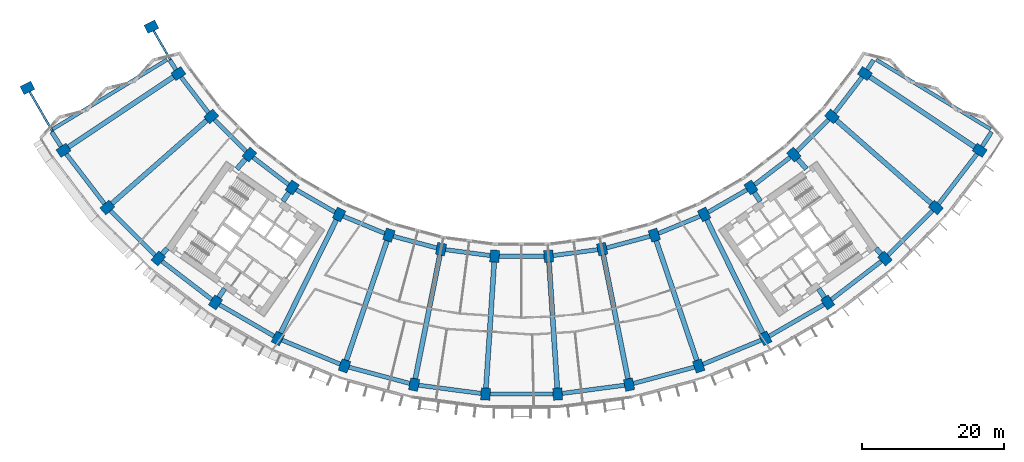
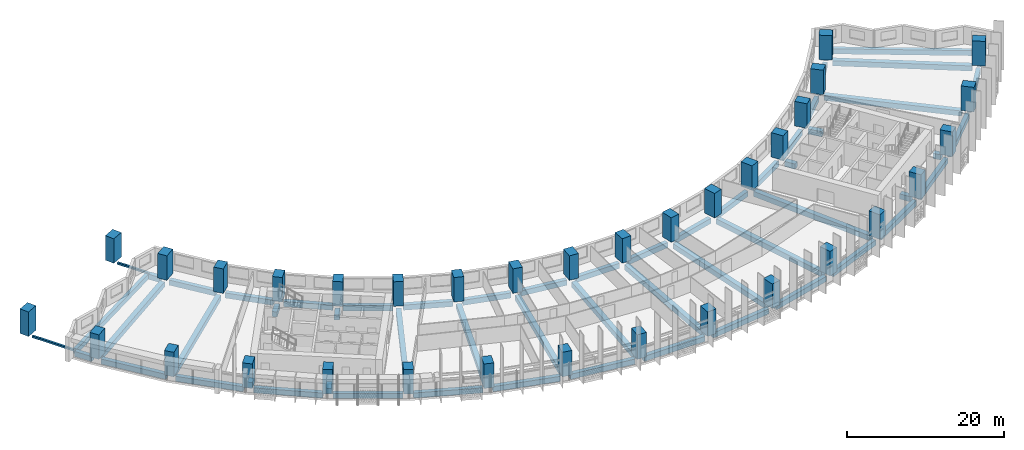
# One storey, part 1 of 33: 56 beams, 34 columns, 2 members.
"""IFC4 building model written with IfcOpenShell, lengths in metres."""

from ifc_helpers import new_model, si_unit, direction, frame, origin, origin_2d, place, context, subcontext, project, spatial, rectangle, hollow_rectangle, extrude, material, material_profile, profile_set, type_object, element, save


model = new_model("IFC4")

# Units and contexts
model_context = context("Model", 3, precision=1e-05, world=origin(), true_north=direction((0.0, 1.0)))
body_context = subcontext(model_context, "Body", "Model", "MODEL_VIEW")
ifc_project = project(units=[si_unit("LENGTHUNIT", "METRE"), si_unit("AREAUNIT", "SQUARE_METRE"), si_unit("VOLUMEUNIT", "CUBIC_METRE"), si_unit("PLANEANGLEUNIT", "RADIAN"), si_unit("MASSUNIT", "GRAM", prefix="KILO")], contexts=[model_context])

# Site, building, storey
site_placement = place(None, origin())
site = spatial("IfcSite", under=ifc_project, at=site_placement, CompositionType="ELEMENT")
building_placement = place(site_placement, origin())
building = spatial("IfcBuilding", under=site, at=building_placement, Name="Qamariyya Broadcast Tower", CompositionType="ELEMENT")
storey_placement = place(building_placement, frame((0.0, 0.0, 78.5)))
storey = spatial("IfcBuildingStorey", under=building, at=storey_placement, Name="L16", CompositionType="ELEMENT", Elevation=78.5)

# Columns
ifc_material_1 = material(Name="Concrete C70/85", Category="concrete")
ifc_material_profile_1 = material_profile(ifc_material_1, rectangle(XDim=1.300048828125, YDim=1.699951171875, at=origin_2d()))
ifc_profile_set_1 = profile_set([ifc_material_profile_1], Name="Concrete C70/85")
column_type = type_object("IfcColumnType", Name="RC column 1300 x 1700 C70/85", PredefinedType="COLUMN", material=ifc_profile_set_1)
for number, where, z_axis, x_axis, name in (
    (1, (-48.43310546875, -32.362060546875, 0.0), (0.0, 0.0, 1.0), (0.55557023302, -0.831469612303, 0.0), "Column C5 L16 B-R03"),
    (2, (-64.646728515625, -43.195556640625, 0.0), (0.0, 0.0, 1.0), (0.55557023302, -0.831469612303, 0.0), "Column C5 L16 C-R03"),
    (3, (-43.794677734375, -38.406982421875, 0.0), (0.0, 0.0, 1.0), (0.6593458151, -0.751839807479, 0.0), "Column C5 L16 B-R04"),
    (4, (-58.45556640625, -51.26416015625, 0.0), (0.0, 0.0, 1.0), (0.6593458151, -0.751839807479, 0.0), "Column C5 L16 C-R04"),
    (5, (-38.406982421875, -43.794677734375, 0.0), (0.0, 0.0, 1.0), (0.751839807479, -0.6593458151, 0.0), "Column C5 L16 B-R05"),
    (6, (-51.26416015625, -58.45556640625, 0.0), (0.0, 0.0, 1.0), (0.751839807479, -0.6593458151, 0.0), "Column C5 L16 C-R05"),
    (7, (-32.362060546875, -48.43310546875, 0.0), (0.0, 0.0, 1.0), (0.831469612303, -0.55557023302, 0.0), "Column C5 L16 B-R06"),
    (8, (-43.195556640625, -64.646728515625, 0.0), (0.0, 0.0, 1.0), (0.831469612303, -0.55557023302, 0.0), "Column C5 L16 C-R06"),
    (9, (-25.763427734375, -52.242919921875, 0.0), (0.0, 0.0, 1.0), (0.896872741533, -0.442288690219, 0.0), "Column C5 L16 B-R07"),
    (10, (-34.387939453125, -69.73193359375, 0.0), (0.0, 0.0, 1.0), (0.896872741533, -0.442288690219, 0.0), "Column C5 L16 C-R07"),
    (11, (-18.723876953125, -55.15869140625, 0.0), (0.0, 0.0, 1.0), (0.946930129495, -0.321439465303, 0.0), "Column C5 L16 B-R08"),
    (12, (-24.991943359375, -73.623779296875, 0.0), (0.0, 0.0, 1.0), (0.946930129495, -0.321439465303, 0.0), "Column C5 L16 C-R08"),
    (13, (-11.364013671875, -57.130859375, 0.0), (0.0, 0.0, 1.0), (0.980785280403, -0.195090322016, 0.0), "Column C5 L16 B-R09"),
    (14, (-15.168212890625, -76.256103515625, 0.0), (0.0, 0.0, 1.0), (0.980785280403, -0.195090322016, 0.0), "Column C5 L16 C-R09"),
    (15, (-3.809814453125, -58.125244140625, 0.0), (0.0, 0.0, 1.0), (0.997858923239, -0.06540312923, 0.0), "Column C5 L16 B-R10"),
    (16, (-5.085205078125, -77.58349609375, 0.0), (0.0, 0.0, 1.0), (0.997858923239, -0.06540312923, 0.0), "Column C5 L16 C-R10"),
    (17, (3.809814453125, -58.125244140625, 0.0), (0.0, 0.0, 1.0), (0.997858923239, 0.06540312923, 0.0), "Column C5 L16 B-R11"),
    (18, (5.085205078125, -77.58349609375, 0.0), (0.0, 0.0, 1.0), (0.997858923239, 0.06540312923, 0.0), "Column C5 L16 C-R11"),
    (19, (11.364013671875, -57.130859375, 0.0), (0.0, 0.0, 1.0), (0.980785280403, 0.195090322016, 0.0), "Column C5 L16 B-R12"),
    (20, (15.168212890625, -76.256103515625, 0.0), (0.0, 0.0, 1.0), (0.980785280403, 0.195090322016, 0.0), "Column C5 L16 C-R12"),
    (21, (18.723876953125, -55.15869140625, 0.0), (0.0, 0.0, 1.0), (0.946930129495, 0.321439465303, 0.0), "Column C5 L16 B-R13"),
    (22, (24.991943359375, -73.623779296875, 0.0), (0.0, 0.0, 1.0), (0.946930129495, 0.321439465303, 0.0), "Column C5 L16 C-R13"),
    (23, (25.763427734375, -52.242919921875, 0.0), (0.0, 0.0, 1.0), (0.896872741533, 0.442288690219, 0.0), "Column C5 L16 B-R14"),
    (24, (34.387939453125, -69.73193359375, 0.0), (0.0, 0.0, 1.0), (0.896872741533, 0.442288690219, 0.0), "Column C5 L16 C-R14"),
    (25, (32.362060546875, -48.43310546875, 0.0), (0.0, 0.0, 1.0), (0.831469612303, 0.55557023302, 0.0), "Column C5 L16 B-R15"),
    (26, (43.195556640625, -64.646728515625, 0.0), (0.0, 0.0, 1.0), (0.831469612303, 0.55557023302, 0.0), "Column C5 L16 C-R15"),
    (27, (38.406982421875, -43.794677734375, 0.0), (0.0, 0.0, 1.0), (0.751839807479, 0.6593458151, 0.0), "Column C5 L16 B-R16"),
    (28, (51.26416015625, -58.45556640625, 0.0), (0.0, 0.0, 1.0), (0.751839807479, 0.6593458151, 0.0), "Column C5 L16 C-R16"),
    (29, (43.794677734375, -38.406982421875, 0.0), (0.0, 0.0, 1.0), (0.6593458151, 0.751839807479, 0.0), "Column C5 L16 B-R17"),
    (30, (58.45556640625, -51.26416015625, 0.0), (0.0, 0.0, 1.0), (0.6593458151, 0.751839807479, 0.0), "Column C5 L16 C-R17"),
    (31, (48.43310546875, -32.362060546875, 0.0), (0.0, 0.0, 1.0), (0.55557023302, 0.831469612303, 0.0), "Column C5 L16 B-R18"),
    (32, (64.646728515625, -43.195556640625, 0.0), (0.0, 0.0, 1.0), (0.55557023302, 0.831469612303, 0.0), "Column C5 L16 C-R18"),
    (33, (-52.242919921875, -25.763427734375, 0.0), (0.0, 0.0, 1.0), (0.442288690219, -0.896872741533, 0.0), "Column C5 L16 B-R02"),
    (34, (-69.73193359375, -34.387939453125, 0.0), (0.0, 0.0, 1.0), (0.442288690219, -0.896872741533, 0.0), "Column C5 L16 C-R02"),
):
    element("IfcColumn", number, at=place(storey_placement, frame(where, z_axis=z_axis, x_axis=x_axis)), inside=storey, type_object=column_type, Name=name, PredefinedType="COLUMN", context=body_context, shape_type="SweptSolid", body=[
        extrude(rectangle(XDim=1.300048828125, YDim=1.699951171875, at=origin_2d()), origin(), (0.0, 0.0, 1.0), 3.800048828125),
    ])

# Members
ifc_material_2 = material(Name="Steel S355", Category="steel")
ifc_material_profile_2 = material_profile(ifc_material_2, hollow_rectangle(XDim=0.300048828125, YDim=0.300048828125, WallThickness=0.012451171875, InnerFilletRadius=0.012451171875, OuterFilletRadius=0.02490234375, at=origin_2d()))
ifc_profile_set_2 = profile_set([ifc_material_profile_2], Name="Steel S355")
member_type = type_object("IfcMemberType", Name="Pylon tie RHS 300x300x12.5", PredefinedType="STRUT", material=ifc_profile_set_2)
member_1_placement = place(storey_placement, frame((-48.7587890625, -31.7978515625, -0.449951171875), z_axis=(-0.500009058987, 0.866020173512, 0.0), x_axis=(-0.866020173512, -0.500009058987, 0.0)))
element("IfcMember", 35, at=member_1_placement, inside=storey, type_object=member_type, Name="Pylon tie T1 L16 B-R02", PredefinedType="STRUT", context=body_context, shape_type="SweptSolid", body=[
    extrude(hollow_rectangle(XDim=0.300048828125, YDim=0.300048828125, WallThickness=0.012451171875, InnerFilletRadius=0.012451171875, OuterFilletRadius=0.02490234375, at=origin_2d()), origin(), (0.0, 0.0, 1.0), 6.31689453125),
])
member_2_placement = place(storey_placement, frame((-64.972412109375, -42.63134765625, -0.449951171875), z_axis=(-0.500021158025, 0.866013187848, 0.0), x_axis=(-0.866013187848, -0.500021158025, 0.0)))
element("IfcMember", 36, at=member_2_placement, inside=storey, type_object=member_type, Name="Pylon tie T1 L16 C-R02", PredefinedType="STRUT", context=body_context, shape_type="SweptSolid", body=[
    extrude(hollow_rectangle(XDim=0.300048828125, YDim=0.300048828125, WallThickness=0.012451171875, InnerFilletRadius=0.012451171875, OuterFilletRadius=0.02490234375, at=origin_2d()), origin(), (0.0, 0.0, 1.0), 8.8671875),
])

# Beams
ifc_material_3 = material(Name="Concrete C50/60", Category="concrete")
ifc_material_profile_3 = material_profile(ifc_material_3, rectangle(XDim=0.60009765625, YDim=0.800048828125, at=origin_2d()))
ifc_profile_set_3 = profile_set([ifc_material_profile_3], Name="Concrete C50/60")
beam_type_1 = type_object("IfcBeamType", Name="RC edge beam 600 x 800 C50/60", PredefinedType="SPANDREL", material=ifc_profile_set_3)
beam_1_placement = place(storey_placement, frame((-48.03662109375, -32.878662109375, -0.699951171875), z_axis=(0.608763348773, -0.7933518672, 0.0), x_axis=(0.7933518672, 0.608763348773, 0.0)))
element("IfcBeam", 37, at=beam_1_placement, inside=storey, type_object=beam_type_1, Name="Edge beam B6 L16 B R03-R04", PredefinedType="SPANDREL", context=body_context, shape_type="SweptSolid", body=[
    extrude(rectangle(XDim=0.60009765625, YDim=0.800048828125, at=origin_2d()), origin(), (0.0, 0.0, 1.0), 6.31689453125),
])
beam_2_placement = place(storey_placement, frame((-43.333984375, -38.867431640625, -0.699951171875), z_axis=(0.707106781187, -0.707106781187, 0.0), x_axis=(0.707106781187, 0.707106781187, 0.0)))
element("IfcBeam", 38, at=beam_2_placement, inside=storey, type_object=beam_type_1, Name="Edge beam B6 L16 B R04-R05", PredefinedType="SPANDREL", context=body_context, shape_type="SweptSolid", body=[
    extrude(rectangle(XDim=0.60009765625, YDim=0.800048828125, at=origin_2d()), origin(), (0.0, 0.0, 1.0), 6.316650390625),
])
for number, where, z_axis, x_axis, name in (
    (39, (-37.89013671875, -44.191162109375, -0.699951171875), (0.7933518672, -0.608763348773, 0.0), (0.608763348773, 0.7933518672, 0.0), "Edge beam B6 L16 B R05-R06"),
    (40, (-31.7978515625, -48.7587890625, -0.699951171875), (0.866020173512, -0.500009058987, 0.0), (0.500009058987, 0.866020173512, 0.0), "Edge beam B6 L16 B R06-R07"),
):
    element("IfcBeam", number, at=place(storey_placement, frame(where, z_axis=z_axis, x_axis=x_axis)), inside=storey, type_object=beam_type_1, Name=name, PredefinedType="SPANDREL", context=body_context, shape_type="SweptSolid", body=[
        extrude(rectangle(XDim=0.60009765625, YDim=0.800048828125, at=origin_2d()), origin(), (0.0, 0.0, 1.0), 6.31689453125),
    ])
for number, where, z_axis, x_axis, name in (
    (41, (-25.16162109375, -52.4921875, -0.699951171875), (0.923884465345, -0.382671523234, 0.0), (0.382671523234, 0.923884465345, 0.0), "Edge beam B6 L16 B R07-R08"),
    (42, (-18.0947265625, -55.327392578125, -0.699951171875), (0.965931490327, -0.258797905699, 0.0), (0.258797905699, 0.965931490327, 0.0), "Edge beam B6 L16 B R08-R09"),
    (43, (-10.71826171875, -57.2158203125, -0.699951171875), (0.991445610946, -0.130520498525, 0.0), (0.130520498525, 0.991445610946, 0.0), "Edge beam B6 L16 B R09-R10"),
):
    element("IfcBeam", number, at=place(storey_placement, frame(where, z_axis=z_axis, x_axis=x_axis)), inside=storey, type_object=beam_type_1, Name=name, PredefinedType="SPANDREL", context=body_context, shape_type="SweptSolid", body=[
        extrude(rectangle(XDim=0.60009765625, YDim=0.800048828125, at=origin_2d()), origin(), (0.0, 0.0, 1.0), 6.316650390625),
    ])
beam_3_placement = place(storey_placement, frame((-3.158447265625, -58.125244140625, -0.699951171875), z_axis=(1.0, 0.0, 0.0), x_axis=(0.0, 1.0, 0.0)))
element("IfcBeam", 44, at=beam_3_placement, inside=storey, type_object=beam_type_1, Name="Edge beam B6 L16 B R10-R11", PredefinedType="SPANDREL", context=body_context, shape_type="SweptSolid", body=[
    extrude(rectangle(XDim=0.60009765625, YDim=0.800048828125, at=origin_2d()), origin(), (0.0, 0.0, 1.0), 6.31689453125),
])
for number, where, z_axis, x_axis, name in (
    (45, (4.45556640625, -58.040283203125, -0.699951171875), (0.991445610946, 0.130520498525, 0.0), (-0.130520498525, 0.991445610946, 0.0), "Edge beam B6 L16 B R11-R12"),
    (46, (11.9931640625, -56.962158203125, -0.699951171875), (0.965931490327, 0.258797905699, 0.0), (-0.258797905699, 0.965931490327, 0.0), "Edge beam B6 L16 B R12-R13"),
    (47, (19.32568359375, -54.909423828125, -0.699951171875), (0.923884465345, 0.382671523234, 0.0), (-0.382671523234, 0.923884465345, 0.0), "Edge beam B6 L16 B R13-R14"),
):
    element("IfcBeam", number, at=place(storey_placement, frame(where, z_axis=z_axis, x_axis=x_axis)), inside=storey, type_object=beam_type_1, Name=name, PredefinedType="SPANDREL", context=body_context, shape_type="SweptSolid", body=[
        extrude(rectangle(XDim=0.60009765625, YDim=0.800048828125, at=origin_2d()), origin(), (0.0, 0.0, 1.0), 6.316650390625),
    ])
for number, where, z_axis, x_axis, name in (
    (48, (26.327392578125, -51.917236328125, -0.699951171875), (0.866020173512, 0.500009058987, 0.0), (-0.500009058987, 0.866020173512, 0.0), "Edge beam B6 L16 B R14-R15"),
    (49, (32.878662109375, -48.03662109375, -0.699951171875), (0.7933518672, 0.608763348773, 0.0), (-0.608763348773, 0.7933518672, 0.0), "Edge beam B6 L16 B R15-R16"),
):
    element("IfcBeam", number, at=place(storey_placement, frame(where, z_axis=z_axis, x_axis=x_axis)), inside=storey, type_object=beam_type_1, Name=name, PredefinedType="SPANDREL", context=body_context, shape_type="SweptSolid", body=[
        extrude(rectangle(XDim=0.60009765625, YDim=0.800048828125, at=origin_2d()), origin(), (0.0, 0.0, 1.0), 6.31689453125),
    ])
beam_4_placement = place(storey_placement, frame((38.867431640625, -43.333984375, -0.699951171875), z_axis=(0.707106781187, 0.707106781187, 0.0), x_axis=(-0.707106781187, 0.707106781187, 0.0)))
element("IfcBeam", 50, at=beam_4_placement, inside=storey, type_object=beam_type_1, Name="Edge beam B6 L16 B R16-R17", PredefinedType="SPANDREL", context=body_context, shape_type="SweptSolid", body=[
    extrude(rectangle(XDim=0.60009765625, YDim=0.800048828125, at=origin_2d()), origin(), (0.0, 0.0, 1.0), 6.316650390625),
])
beam_5_placement = place(storey_placement, frame((44.191162109375, -37.89013671875, -0.699951171875), z_axis=(0.608763348773, 0.7933518672, 0.0), x_axis=(-0.7933518672, 0.608763348773, 0.0)))
element("IfcBeam", 51, at=beam_5_placement, inside=storey, type_object=beam_type_1, Name="Edge beam B6 L16 B R17-R18", PredefinedType="SPANDREL", context=body_context, shape_type="SweptSolid", body=[
    extrude(rectangle(XDim=0.60009765625, YDim=0.800048828125, at=origin_2d()), origin(), (0.0, 0.0, 1.0), 6.31689453125),
])
beam_6_placement = place(storey_placement, frame((-64.250244140625, -43.71240234375, -0.699951171875), z_axis=(0.608769622928, -0.793347052809, 0.0), x_axis=(0.793347052809, 0.608769622928, 0.0)))
element("IfcBeam", 52, at=beam_6_placement, inside=storey, type_object=beam_type_1, Name="Edge beam B6 L16 C R03-R04", PredefinedType="SPANDREL", context=body_context, shape_type="SweptSolid", body=[
    extrude(rectangle(XDim=0.60009765625, YDim=0.800048828125, at=origin_2d()), origin(), (0.0, 0.0, 1.0), 8.867431640625),
])
beam_7_placement = place(storey_placement, frame((-57.994873046875, -51.724853515625, -0.699951171875), z_axis=(0.707106781187, -0.707106781187, 0.0), x_axis=(0.707106781187, 0.707106781187, 0.0)))
element("IfcBeam", 53, at=beam_7_placement, inside=storey, type_object=beam_type_1, Name="Edge beam B6 L16 C R04-R05", PredefinedType="SPANDREL", context=body_context, shape_type="SweptSolid", body=[
    extrude(rectangle(XDim=0.60009765625, YDim=0.800048828125, at=origin_2d()), origin(), (0.0, 0.0, 1.0), 8.8671875),
])
beam_8_placement = place(storey_placement, frame((-50.747314453125, -58.85205078125, -0.699951171875), z_axis=(0.793347052809, -0.608769622928, 0.0), x_axis=(0.608769622928, 0.793347052809, 0.0)))
element("IfcBeam", 54, at=beam_8_placement, inside=storey, type_object=beam_type_1, Name="Edge beam B6 L16 C R05-R06", PredefinedType="SPANDREL", context=body_context, shape_type="SweptSolid", body=[
    extrude(rectangle(XDim=0.60009765625, YDim=0.800048828125, at=origin_2d()), origin(), (0.0, 0.0, 1.0), 8.867431640625),
])
beam_9_placement = place(storey_placement, frame((-42.63134765625, -64.972412109375, -0.699951171875), z_axis=(0.866013187848, -0.500021158025, 0.0), x_axis=(0.500021158025, 0.866013187848, 0.0)))
element("IfcBeam", 55, at=beam_9_placement, inside=storey, type_object=beam_type_1, Name="Edge beam B6 L16 C R06-R07", PredefinedType="SPANDREL", context=body_context, shape_type="SweptSolid", body=[
    extrude(rectangle(XDim=0.60009765625, YDim=0.800048828125, at=origin_2d()), origin(), (0.0, 0.0, 1.0), 8.8671875),
])
for number, where, z_axis, x_axis, name in (
    (56, (-33.7861328125, -69.981201171875, -0.699951171875), (0.923882942367, -0.382675200142, 0.0), (0.382675200142, 0.923882942367, 0.0), "Edge beam B6 L16 C R07-R08"),
    (57, (-24.36279296875, -73.79248046875, -0.699951171875), (0.965930847021, -0.258800306749, 0.0), (0.258800306749, 0.965930847021, 0.0), "Edge beam B6 L16 C R08-R09"),
    (58, (-14.5224609375, -76.341064453125, -0.699951171875), (0.991444171706, -0.13053143066, 0.0), (0.13053143066, 0.991444171706, 0.0), "Edge beam B6 L16 C R09-R10"),
):
    element("IfcBeam", number, at=place(storey_placement, frame(where, z_axis=z_axis, x_axis=x_axis)), inside=storey, type_object=beam_type_1, Name=name, PredefinedType="SPANDREL", context=body_context, shape_type="SweptSolid", body=[
        extrude(rectangle(XDim=0.60009765625, YDim=0.800048828125, at=origin_2d()), origin(), (0.0, 0.0, 1.0), 8.867431640625),
    ])
beam_10_placement = place(storey_placement, frame((-4.43359375, -77.58349609375, -0.699951171875), z_axis=(1.0, 0.0, 0.0), x_axis=(0.0, 1.0, 0.0)))
element("IfcBeam", 59, at=beam_10_placement, inside=storey, type_object=beam_type_1, Name="Edge beam B6 L16 C R10-R11", PredefinedType="SPANDREL", context=body_context, shape_type="SweptSolid", body=[
    extrude(rectangle(XDim=0.60009765625, YDim=0.800048828125, at=origin_2d()), origin(), (0.0, 0.0, 1.0), 8.8671875),
])
for number, where, z_axis, x_axis, name in (
    (60, (5.73095703125, -77.49853515625, -0.699951171875), (0.991444171706, 0.13053143066, 0.0), (-0.13053143066, 0.991444171706, 0.0), "Edge beam B6 L16 C R11-R12"),
    (61, (15.79736328125, -76.08740234375, -0.699951171875), (0.965930847021, 0.258800306749, 0.0), (-0.258800306749, 0.965930847021, 0.0), "Edge beam B6 L16 C R12-R13"),
    (62, (25.59375, -73.37451171875, -0.699951171875), (0.923882942367, 0.382675200142, 0.0), (-0.382675200142, 0.923882942367, 0.0), "Edge beam B6 L16 C R13-R14"),
):
    element("IfcBeam", number, at=place(storey_placement, frame(where, z_axis=z_axis, x_axis=x_axis)), inside=storey, type_object=beam_type_1, Name=name, PredefinedType="SPANDREL", context=body_context, shape_type="SweptSolid", body=[
        extrude(rectangle(XDim=0.60009765625, YDim=0.800048828125, at=origin_2d()), origin(), (0.0, 0.0, 1.0), 8.867431640625),
    ])
beam_11_placement = place(storey_placement, frame((34.9521484375, -69.40625, -0.699951171875), z_axis=(0.866013187848, 0.500021158025, 0.0), x_axis=(-0.500021158025, 0.866013187848, 0.0)))
element("IfcBeam", 63, at=beam_11_placement, inside=storey, type_object=beam_type_1, Name="Edge beam B6 L16 C R14-R15", PredefinedType="SPANDREL", context=body_context, shape_type="SweptSolid", body=[
    extrude(rectangle(XDim=0.60009765625, YDim=0.800048828125, at=origin_2d()), origin(), (0.0, 0.0, 1.0), 8.8671875),
])
beam_12_placement = place(storey_placement, frame((43.71240234375, -64.250244140625, -0.699951171875), z_axis=(0.793347052809, 0.608769622928, 0.0), x_axis=(-0.608769622928, 0.793347052809, 0.0)))
element("IfcBeam", 64, at=beam_12_placement, inside=storey, type_object=beam_type_1, Name="Edge beam B6 L16 C R15-R16", PredefinedType="SPANDREL", context=body_context, shape_type="SweptSolid", body=[
    extrude(rectangle(XDim=0.60009765625, YDim=0.800048828125, at=origin_2d()), origin(), (0.0, 0.0, 1.0), 8.867431640625),
])
beam_13_placement = place(storey_placement, frame((51.724853515625, -57.994873046875, -0.699951171875), z_axis=(0.707106781187, 0.707106781187, 0.0), x_axis=(-0.707106781187, 0.707106781187, 0.0)))
element("IfcBeam", 65, at=beam_13_placement, inside=storey, type_object=beam_type_1, Name="Edge beam B6 L16 C R16-R17", PredefinedType="SPANDREL", context=body_context, shape_type="SweptSolid", body=[
    extrude(rectangle(XDim=0.60009765625, YDim=0.800048828125, at=origin_2d()), origin(), (0.0, 0.0, 1.0), 8.8671875),
])
beam_14_placement = place(storey_placement, frame((58.85205078125, -50.747314453125, -0.699951171875), z_axis=(0.608769622928, 0.793347052809, 0.0), x_axis=(-0.793347052809, 0.608769622928, 0.0)))
element("IfcBeam", 66, at=beam_14_placement, inside=storey, type_object=beam_type_1, Name="Edge beam B6 L16 C R17-R18", PredefinedType="SPANDREL", context=body_context, shape_type="SweptSolid", body=[
    extrude(rectangle(XDim=0.60009765625, YDim=0.800048828125, at=origin_2d()), origin(), (0.0, 0.0, 1.0), 8.867431640625),
])
ifc_material_profile_4 = material_profile(ifc_material_3, rectangle(XDim=0.60009765625, YDim=0.800048828125, at=origin_2d()))
ifc_profile_set_4 = profile_set([ifc_material_profile_4], Name="Concrete C50/60")
beam_type_2 = type_object("IfcBeamType", Name="RC horn beam 600 x 800 C50/60", PredefinedType="BEAM", material=ifc_profile_set_4)
beam_15_placement = place(storey_placement, frame((-48.78271484375, -31.813720703125, -0.699951171875), z_axis=(-0.537554634127, 0.843228922256, 0.0), x_axis=(-0.843228922256, -0.537554634127, 0.0)))
element("IfcBeam", 67, at=beam_15_placement, inside=storey, type_object=beam_type_2, Name="Horn beam B7 L16 W B-R03", PredefinedType="BEAM", context=body_context, shape_type="SweptSolid", body=[
    extrude(rectangle(XDim=0.60009765625, YDim=0.800048828125, at=origin_2d()), origin(), (0.0, 0.0, 1.0), 1.6044921875),
])
beam_16_placement = place(storey_placement, frame((-64.996337890625, -42.6474609375, -0.699951171875), z_axis=(-0.537541351109, 0.843237389972, 0.0), x_axis=(-0.843237389972, -0.537541351109, 0.0)))
element("IfcBeam", 68, at=beam_16_placement, inside=storey, type_object=beam_type_2, Name="Horn beam B7 L16 W C-R03", PredefinedType="BEAM", context=body_context, shape_type="SweptSolid", body=[
    extrude(rectangle(XDim=0.60009765625, YDim=0.800048828125, at=origin_2d()), origin(), (0.0, 0.0, 1.0), 2.443115234375),
])
beam_17_placement = place(storey_placement, frame((48.78271484375, -31.813720703125, -0.699951171875), z_axis=(0.537554634127, 0.843228922256, 0.0), x_axis=(-0.843228922256, 0.537554634127, 0.0)))
element("IfcBeam", 69, at=beam_17_placement, inside=storey, type_object=beam_type_2, Name="Horn beam B7 L16 E B-R18", PredefinedType="BEAM", context=body_context, shape_type="SweptSolid", body=[
    extrude(rectangle(XDim=0.60009765625, YDim=0.800048828125, at=origin_2d()), origin(), (0.0, 0.0, 1.0), 1.6044921875),
])
beam_18_placement = place(storey_placement, frame((64.996337890625, -42.6474609375, -0.699951171875), z_axis=(0.537541351109, 0.843237389972, 0.0), x_axis=(-0.843237389972, 0.537541351109, 0.0)))
element("IfcBeam", 70, at=beam_18_placement, inside=storey, type_object=beam_type_2, Name="Horn beam B7 L16 E C-R18", PredefinedType="BEAM", context=body_context, shape_type="SweptSolid", body=[
    extrude(rectangle(XDim=0.60009765625, YDim=0.800048828125, at=origin_2d()), origin(), (0.0, 0.0, 1.0), 2.443115234375),
])
ifc_material_profile_5 = material_profile(ifc_material_3, rectangle(XDim=0.5, YDim=0.800048828125, at=origin_2d()))
ifc_profile_set_5 = profile_set([ifc_material_profile_5], Name="Concrete C50/60")
beam_type_3 = type_object("IfcBeamType", Name="RC horn cap beam 500 x 800 C50/60", PredefinedType="BEAM", material=ifc_profile_set_5)
for number, where, z_axis, x_axis, name in (
    (71, (-50.035888671875, -30.40576171875, -0.699951171875), (-0.854585452951, -0.519310796734, 0.0), (0.519310796734, -0.854585452951, 0.0), "Horn cap beam B8 L16 W B-C"),
    (72, (50.035888671875, -30.40576171875, -0.699951171875), (0.854585452951, -0.519310796734, 0.0), (0.519310796734, 0.854585452951, 0.0), "Horn cap beam B8 L16 E B-C"),
):
    element("IfcBeam", number, at=place(storey_placement, frame(where, z_axis=z_axis, x_axis=x_axis)), inside=storey, type_object=beam_type_3, Name=name, PredefinedType="BEAM", context=body_context, shape_type="SweptSolid", body=[
        extrude(rectangle(XDim=0.5, YDim=0.800048828125, at=origin_2d()), origin(), (0.0, 0.0, 1.0), 18.89990234375),
    ])
ifc_material_profile_6 = material_profile(ifc_material_3, rectangle(XDim=0.699951171875, YDim=0.800048828125, at=origin_2d()))
ifc_profile_set_6 = profile_set([ifc_material_profile_6], Name="Concrete C50/60")
beam_type_4 = type_object("IfcBeamType", Name="RC radial beam 700 x 800 C50/60", PredefinedType="BEAM", material=ifc_profile_set_6)
for number, where, z_axis, x_axis, name in (
    (73, (-49.139892578125, -32.834228515625, -0.699951171875), (-0.831467440413, -0.555573483469, 0.0), (0.555573483469, -0.831467440413, 0.0), "Radial beam B5 L16 R03 B-C"),
    (74, (-44.433837890625, -38.96728515625, -0.699951171875), (-0.751836168626, -0.659349964393, 0.0), (0.659349964393, -0.751836168626, 0.0), "Radial beam B5 L16 R04 B-C"),
):
    element("IfcBeam", number, at=place(storey_placement, frame(where, z_axis=z_axis, x_axis=x_axis)), inside=storey, type_object=beam_type_4, Name=name, PredefinedType="BEAM", context=body_context, shape_type="SweptSolid", body=[
        extrude(rectangle(XDim=0.699951171875, YDim=0.800048828125, at=origin_2d()), origin(), (0.0, 0.0, 1.0), 17.7998046875),
    ])
beam_19_placement = place(storey_placement, frame((-38.96728515625, -44.433837890625, -0.699951171875), z_axis=(-0.659385827408, -0.751804715743, 0.0), x_axis=(0.751804715743, -0.659385827408, 0.0)))
element("IfcBeam", 75, at=beam_19_placement, inside=storey, type_object=beam_type_4, Name="Radial beam B5 L16 R05 B-C", PredefinedType="BEAM", context=body_context, shape_type="SweptSolid", body=[
    extrude(rectangle(XDim=0.699951171875, YDim=0.800048828125, at=origin_2d()), origin(), (0.0, 0.0, 1.0), 1.8623046875),
])
beam_20_placement = place(storey_placement, frame((-50.011962890625, -57.027587890625, -0.699951171875), z_axis=(-0.659278599496, -0.751898748667, 0.0), x_axis=(0.751898748667, -0.659278599496, 0.0)))
element("IfcBeam", 76, at=beam_20_placement, inside=storey, type_object=beam_type_4, Name="Radial beam B5 L16 R05 B-C", PredefinedType="BEAM", context=body_context, shape_type="SweptSolid", body=[
    extrude(rectangle(XDim=0.699951171875, YDim=0.800048828125, at=origin_2d()), origin(), (0.0, 0.0, 1.0), 1.049072265625),
])
beam_21_placement = place(storey_placement, frame((-32.834228515625, -49.139892578125, -0.699951171875), z_axis=(-0.555518362002, -0.831504269068, 0.0), x_axis=(0.831504269068, -0.555518362002, 0.0)))
element("IfcBeam", 77, at=beam_21_placement, inside=storey, type_object=beam_type_4, Name="Radial beam B5 L16 R06 B-C", PredefinedType="BEAM", context=body_context, shape_type="SweptSolid", body=[
    extrude(rectangle(XDim=0.699951171875, YDim=0.800048828125, at=origin_2d()), origin(), (0.0, 0.0, 1.0), 1.514404296875),
])
beam_22_placement = place(storey_placement, frame((-41.89990234375, -62.707763671875, -0.699951171875), z_axis=(-0.555650227013, -0.831416156459, 0.0), x_axis=(0.831416156459, -0.555650227013, 0.0)))
element("IfcBeam", 78, at=beam_22_placement, inside=storey, type_object=beam_type_4, Name="Radial beam B5 L16 R06 B-C", PredefinedType="BEAM", context=body_context, shape_type="SweptSolid", body=[
    extrude(rectangle(XDim=0.699951171875, YDim=0.800048828125, at=origin_2d()), origin(), (0.0, 0.0, 1.0), 1.48193359375),
])
beam_23_placement = place(storey_placement, frame((-26.13916015625, -53.005126953125, -0.699951171875), z_axis=(-0.442291123934, -0.896871541353, 0.0), x_axis=(0.896871541353, -0.442291123934, 0.0)))
element("IfcBeam", 79, at=beam_23_placement, inside=storey, type_object=beam_type_4, Name="Radial beam B5 L16 R07 B-C", PredefinedType="BEAM", context=body_context, shape_type="SweptSolid", body=[
    extrude(rectangle(XDim=0.699951171875, YDim=0.800048828125, at=origin_2d()), origin(), (0.0, 0.0, 1.0), 17.800048828125),
])
beam_24_placement = place(storey_placement, frame((-18.9970703125, -55.963623046875, -0.699951171875), z_axis=(-0.321444599042, -0.94692838681, 0.0), x_axis=(0.94692838681, -0.321444599042, 0.0)))
element("IfcBeam", 80, at=beam_24_placement, inside=storey, type_object=beam_type_4, Name="Radial beam B5 L16 R08 B-C", PredefinedType="BEAM", context=body_context, shape_type="SweptSolid", body=[
    extrude(rectangle(XDim=0.699951171875, YDim=0.800048828125, at=origin_2d()), origin(), (0.0, 0.0, 1.0), 17.7998046875),
])
for number, where, z_axis, x_axis, name in (
    (81, (-11.52978515625, -57.96435546875, -0.699951171875), (-0.19509262344, -0.980784822619, 0.0), (0.980784822619, -0.19509262344, 0.0), "Radial beam B5 L16 R09 B-C"),
    (82, (-3.865234375, -58.973388671875, -0.699951171875), (-0.0654101824, -0.997858460924, 0.0), (0.997858460924, -0.0654101824, 0.0), "Radial beam B5 L16 R10 B-C"),
    (83, (3.865234375, -58.973388671875, -0.699951171875), (0.0654101824, -0.997858460924, 0.0), (0.997858460924, 0.0654101824, 0.0), "Radial beam B5 L16 R11 B-C"),
    (84, (11.52978515625, -57.96435546875, -0.699951171875), (0.19509262344, -0.980784822619, 0.0), (0.980784822619, 0.19509262344, 0.0), "Radial beam B5 L16 R12 B-C"),
):
    element("IfcBeam", number, at=place(storey_placement, frame(where, z_axis=z_axis, x_axis=x_axis)), inside=storey, type_object=beam_type_4, Name=name, PredefinedType="BEAM", context=body_context, shape_type="SweptSolid", body=[
        extrude(rectangle(XDim=0.699951171875, YDim=0.800048828125, at=origin_2d()), origin(), (0.0, 0.0, 1.0), 17.800048828125),
    ])
beam_25_placement = place(storey_placement, frame((18.9970703125, -55.963623046875, -0.699951171875), z_axis=(0.321444599042, -0.94692838681, 0.0), x_axis=(0.94692838681, 0.321444599042, 0.0)))
element("IfcBeam", 85, at=beam_25_placement, inside=storey, type_object=beam_type_4, Name="Radial beam B5 L16 R13 B-C", PredefinedType="BEAM", context=body_context, shape_type="SweptSolid", body=[
    extrude(rectangle(XDim=0.699951171875, YDim=0.800048828125, at=origin_2d()), origin(), (0.0, 0.0, 1.0), 17.7998046875),
])
beam_26_placement = place(storey_placement, frame((26.13916015625, -53.005126953125, -0.699951171875), z_axis=(0.442291123934, -0.896871541353, 0.0), x_axis=(0.896871541353, 0.442291123934, 0.0)))
element("IfcBeam", 86, at=beam_26_placement, inside=storey, type_object=beam_type_4, Name="Radial beam B5 L16 R14 B-C", PredefinedType="BEAM", context=body_context, shape_type="SweptSolid", body=[
    extrude(rectangle(XDim=0.699951171875, YDim=0.800048828125, at=origin_2d()), origin(), (0.0, 0.0, 1.0), 17.800048828125),
])
beam_27_placement = place(storey_placement, frame((32.834228515625, -49.139892578125, -0.699951171875), z_axis=(0.555518362002, -0.831504269068, 0.0), x_axis=(0.831504269068, 0.555518362002, 0.0)))
element("IfcBeam", 87, at=beam_27_placement, inside=storey, type_object=beam_type_4, Name="Radial beam B5 L16 R15 B-C", PredefinedType="BEAM", context=body_context, shape_type="SweptSolid", body=[
    extrude(rectangle(XDim=0.699951171875, YDim=0.800048828125, at=origin_2d()), origin(), (0.0, 0.0, 1.0), 1.514404296875),
])
beam_28_placement = place(storey_placement, frame((41.89990234375, -62.707763671875, -0.699951171875), z_axis=(0.555650227013, -0.831416156459, 0.0), x_axis=(0.831416156459, 0.555650227013, 0.0)))
element("IfcBeam", 88, at=beam_28_placement, inside=storey, type_object=beam_type_4, Name="Radial beam B5 L16 R15 B-C", PredefinedType="BEAM", context=body_context, shape_type="SweptSolid", body=[
    extrude(rectangle(XDim=0.699951171875, YDim=0.800048828125, at=origin_2d()), origin(), (0.0, 0.0, 1.0), 1.48193359375),
])
beam_29_placement = place(storey_placement, frame((38.96728515625, -44.433837890625, -0.699951171875), z_axis=(0.659385827408, -0.751804715743, 0.0), x_axis=(0.751804715743, 0.659385827408, 0.0)))
element("IfcBeam", 89, at=beam_29_placement, inside=storey, type_object=beam_type_4, Name="Radial beam B5 L16 R16 B-C", PredefinedType="BEAM", context=body_context, shape_type="SweptSolid", body=[
    extrude(rectangle(XDim=0.699951171875, YDim=0.800048828125, at=origin_2d()), origin(), (0.0, 0.0, 1.0), 1.8623046875),
])
beam_30_placement = place(storey_placement, frame((50.011962890625, -57.027587890625, -0.699951171875), z_axis=(0.659278599496, -0.751898748667, 0.0), x_axis=(0.751898748667, 0.659278599496, 0.0)))
element("IfcBeam", 90, at=beam_30_placement, inside=storey, type_object=beam_type_4, Name="Radial beam B5 L16 R16 B-C", PredefinedType="BEAM", context=body_context, shape_type="SweptSolid", body=[
    extrude(rectangle(XDim=0.699951171875, YDim=0.800048828125, at=origin_2d()), origin(), (0.0, 0.0, 1.0), 1.049072265625),
])
for number, where, z_axis, x_axis, name in (
    (91, (44.433837890625, -38.96728515625, -0.699951171875), (0.751836168626, -0.659349964393, 0.0), (0.659349964393, 0.751836168626, 0.0), "Radial beam B5 L16 R17 B-C"),
    (92, (49.139892578125, -32.834228515625, -0.699951171875), (0.831467440413, -0.555573483469, 0.0), (0.555573483469, 0.831467440413, 0.0), "Radial beam B5 L16 R18 B-C"),
):
    element("IfcBeam", number, at=place(storey_placement, frame(where, z_axis=z_axis, x_axis=x_axis)), inside=storey, type_object=beam_type_4, Name=name, PredefinedType="BEAM", context=body_context, shape_type="SweptSolid", body=[
        extrude(rectangle(XDim=0.699951171875, YDim=0.800048828125, at=origin_2d()), origin(), (0.0, 0.0, 1.0), 17.7998046875),
    ])

save(model, "model.ifc")
